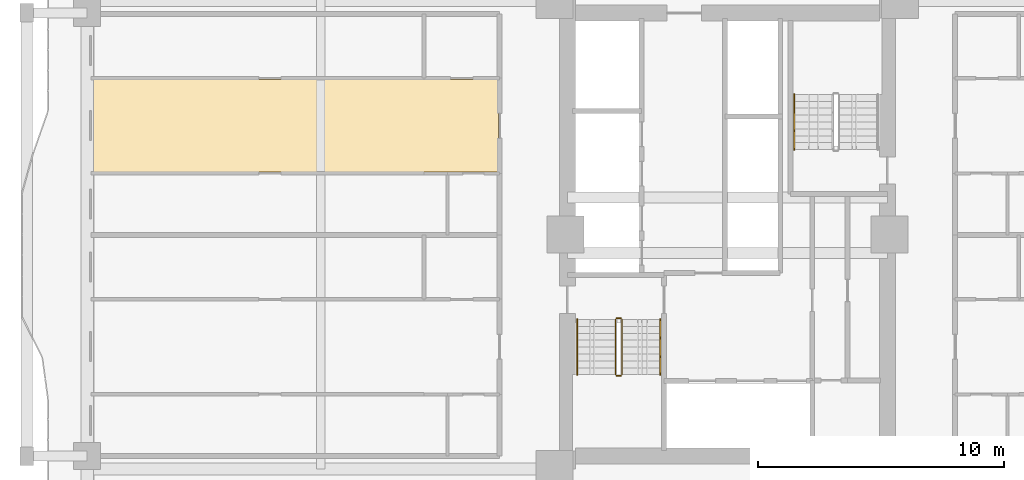
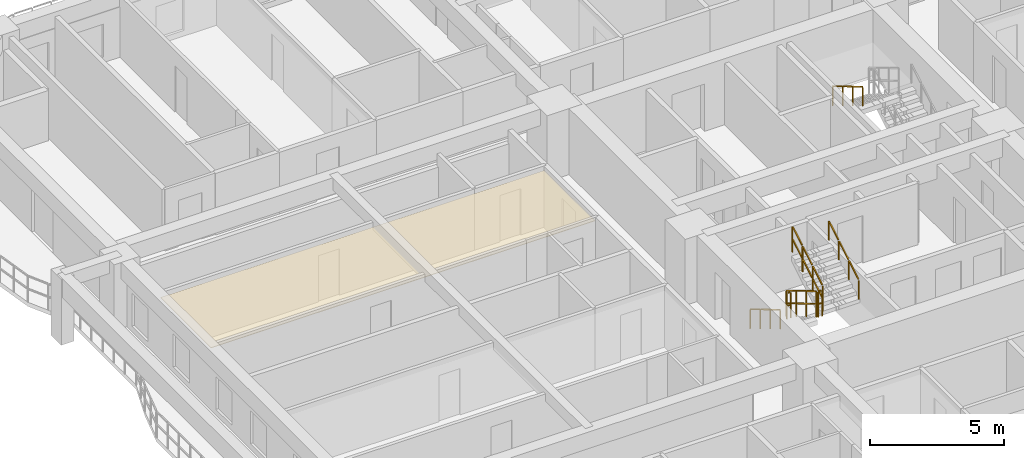
# One storey, part 12 of 16: 7 railings, 1 covering.
"""IFC4 building model written with IfcOpenShell, lengths in metres."""

from ifc_helpers import new_model, si_unit, direction, frame, origin, origin_2d, place, context, subcontext, project, spatial, polyline, rectangle, outline, extrude, material, layer, layer_set, type_object, element, save


model = new_model("IFC4")

# Units and contexts
model_context = context("Model", 3, precision=1e-05, world=origin(), true_north=direction((0.0, 1.0)))
body_context = subcontext(model_context, "Body", "Model", "MODEL_VIEW")
ifc_project = project(units=[si_unit("LENGTHUNIT", "METRE"), si_unit("AREAUNIT", "SQUARE_METRE"), si_unit("VOLUMEUNIT", "CUBIC_METRE"), si_unit("PLANEANGLEUNIT", "RADIAN"), si_unit("MASSUNIT", "GRAM", prefix="KILO")], contexts=[model_context])

# Site, building, storey
site_placement = place(None, origin())
site = spatial("IfcSite", under=ifc_project, at=site_placement, CompositionType="ELEMENT")
building_placement = place(site_placement, origin())
building = spatial("IfcBuilding", under=site, at=building_placement, Name="Saelheon Loggia Tower", CompositionType="ELEMENT")
storey_placement = place(building_placement, frame((0.0, 0.0, 64.39990234375)))
storey = spatial("IfcBuildingStorey", under=building, at=storey_placement, Name="L20", CompositionType="ELEMENT", Elevation=64.39990234375)

# Covering
ifc_material_1 = material(Name="Mineral-Fibre Acoustic Ceiling Board", Category="gypsum")
ifc_layer = layer(ifc_material_1, 0.02490234375)
ifc_layer_set = layer_set([ifc_layer], Name="Mineral-Fibre Acoustic Ceiling Board")
covering_type = type_object("IfcCoveringType", Name="Cov_Ceiling_Acoustic", PredefinedType="CEILING", material=ifc_layer_set)
covering_placement = place(storey_placement, frame((0.0, 0.0, 2.53515625)))
element("IfcCovering", 1, at=covering_placement, inside=storey, type_object=covering_type, Name="L20 Acoustic Suspended Ceiling", PredefinedType="CEILING", context=body_context, shape_type="SweptSolid", body=[
    extrude(outline(polyline([(12.199951171875, 29.5380859375), (28.699951171875, 29.5380859375), (28.699951171875, 33.300048828125), (12.199951171875, 33.300048828125), (12.199951171875, 29.5380859375)])), origin(), (0.0, 0.0, 1.0), 0.02490234375),
])

# Railings
ifc_material_2 = material(Name="Galvanised Steel S275 Stairwell Guardrail", Category="steel")
railing_type_1 = type_object("IfcRailingType", Name="Guard_StairWell_RL_STG", PredefinedType="GUARDRAIL", material=ifc_material_2)
railing_1_placement = place(storey_placement, frame((33.4599609375, 23.550048828125, 0.166748046875)))
element("IfcRailing", 2, at=railing_1_placement, inside=storey, type_object=railing_type_1, Name="L20 ST1 stair guard 1", PredefinedType="GUARDRAIL", context=body_context, shape_type="SweptSolid", body=[
    extrude(rectangle(XDim=0.048095703125, YDim=0.048095703125, at=origin_2d()), frame((0.0, -0.028564453125, 1.19287109375), z_axis=(0.0, -0.859305625298, 0.511462454469), x_axis=(1.0, 0.0, 0.0)), (0.0, 0.0, 1.0), 0.802490234375),
    extrude(rectangle(XDim=0.048095703125, YDim=0.048095703125, at=origin_2d()), frame((0.0, -0.028564453125, 0.616943359375), z_axis=(0.0, -0.859305625298, 0.511462454469), x_axis=(1.0, 0.0, 0.0)), (0.0, 0.0, 1.0), 0.802490234375),
    extrude(rectangle(XDim=0.048095703125, YDim=0.048095703125, at=origin_2d()), frame((0.0, -0.775146484375, 1.63720703125), z_axis=(0.0, -0.859305625298, 0.511462454469), x_axis=(1.0, 0.0, 0.0)), (0.0, 0.0, 1.0), 0.802490234375),
    extrude(rectangle(XDim=0.048095703125, YDim=0.048095703125, at=origin_2d()), frame((0.0, -0.775146484375, 1.061279296875), z_axis=(0.0, -0.859305625298, 0.511462454469), x_axis=(1.0, 0.0, 0.0)), (0.0, 0.0, 1.0), 0.802490234375),
    extrude(rectangle(XDim=0.048095703125, YDim=0.048095703125, at=origin_2d()), frame((0.0, -1.52197265625, 2.081787109375), z_axis=(0.0, -0.859305625298, 0.511462454469), x_axis=(1.0, 0.0, 0.0)), (0.0, 0.0, 1.0), 0.802490234375),
    extrude(rectangle(XDim=0.048095703125, YDim=0.048095703125, at=origin_2d()), frame((0.0, -1.52197265625, 1.505859375), z_axis=(0.0, -0.859305625298, 0.511462454469), x_axis=(1.0, 0.0, 0.0)), (0.0, 0.0, 1.0), 0.802490234375),
    extrude(rectangle(XDim=0.0419921875, YDim=0.0419921875, at=origin_2d()), origin(), (0.0, 0.0, 1.0), 1.14794921875),
    extrude(rectangle(XDim=0.0419921875, YDim=0.0419921875, at=origin_2d()), frame((0.0, -0.74658203125, 0.4443359375)), (0.0, 0.0, 1.0), 1.14794921875),
    extrude(rectangle(XDim=0.0419921875, YDim=0.0419921875, at=origin_2d()), frame((0.0, -1.493408203125, 0.888916015625)), (0.0, 0.0, 1.0), 1.14794921875),
    extrude(rectangle(XDim=0.0419921875, YDim=0.0419921875, at=origin_2d()), frame((0.0, -2.239990234375, 1.333251953125)), (0.0, 0.0, 1.0), 1.14794921875),
])
railing_2_placement = place(storey_placement, frame((33.510009765625, 21.260009765625, 1.5)))
element("IfcRailing", 3, at=railing_2_placement, inside=storey, type_object=railing_type_1, Name="L20 ST1 stair guard 2", PredefinedType="GUARDRAIL", context=body_context, shape_type="SweptSolid", body=[
    extrude(rectangle(XDim=0.048095703125, YDim=0.048095703125, at=origin_2d()), frame((0.033203125, 0.0, 1.17578125), z_axis=(1.0, 0.0, 0.0), x_axis=(0.0, 1.0, 0.0)), (0.0, 0.0, 1.0), 0.093505859375),
    extrude(rectangle(XDim=0.048095703125, YDim=0.048095703125, at=origin_2d()), frame((0.033203125, 0.0, 0.60009765625), z_axis=(1.0, 0.0, 0.0), x_axis=(0.0, 1.0, 0.0)), (0.0, 0.0, 1.0), 0.093505859375),
    extrude(rectangle(XDim=0.0419921875, YDim=0.0419921875, at=origin_2d()), origin(), (0.0, 0.0, 1.0), 1.14794921875),
    extrude(rectangle(XDim=0.0419921875, YDim=0.0419921875, at=origin_2d()), frame((0.159912109375, 0.0, 0.0)), (0.0, 0.0, 1.0), 1.14794921875),
])
railing_3_placement = place(storey_placement, frame((33.719970703125, 21.31005859375, 1.666748046875)))
element("IfcRailing", 4, at=railing_3_placement, inside=storey, type_object=railing_type_1, Name="L20 ST1 stair guard 3", PredefinedType="GUARDRAIL", context=body_context, shape_type="SweptSolid", body=[
    extrude(rectangle(XDim=0.048095703125, YDim=0.048095703125, at=origin_2d()), frame((0.0, 0.028564453125, 1.19287109375), z_axis=(0.0, 0.859305625298, 0.511462454469), x_axis=(-1.0, 0.0, 0.0)), (0.0, 0.0, 1.0), 0.802490234375),
    extrude(rectangle(XDim=0.048095703125, YDim=0.048095703125, at=origin_2d()), frame((0.0, 0.028564453125, 0.616943359375), z_axis=(0.0, 0.859305625298, 0.511462454469), x_axis=(-1.0, 0.0, 0.0)), (0.0, 0.0, 1.0), 0.802490234375),
    extrude(rectangle(XDim=0.048095703125, YDim=0.048095703125, at=origin_2d()), frame((0.0, 0.775146484375, 1.63720703125), z_axis=(0.0, 0.859305625298, 0.511462454469), x_axis=(-1.0, 0.0, 0.0)), (0.0, 0.0, 1.0), 0.802490234375),
    extrude(rectangle(XDim=0.048095703125, YDim=0.048095703125, at=origin_2d()), frame((0.0, 0.775146484375, 1.061279296875), z_axis=(0.0, 0.859305625298, 0.511462454469), x_axis=(-1.0, 0.0, 0.0)), (0.0, 0.0, 1.0), 0.802490234375),
    extrude(rectangle(XDim=0.048095703125, YDim=0.048095703125, at=origin_2d()), frame((0.0, 1.52197265625, 2.081787109375), z_axis=(0.0, 0.859305625298, 0.511462454469), x_axis=(-1.0, 0.0, 0.0)), (0.0, 0.0, 1.0), 0.802490234375),
    extrude(rectangle(XDim=0.048095703125, YDim=0.048095703125, at=origin_2d()), frame((0.0, 1.52197265625, 1.505859375), z_axis=(0.0, 0.859305625298, 0.511462454469), x_axis=(-1.0, 0.0, 0.0)), (0.0, 0.0, 1.0), 0.802490234375),
    extrude(rectangle(XDim=0.0419921875, YDim=0.0419921875, at=origin_2d()), origin(), (0.0, 0.0, 1.0), 1.14794921875),
    extrude(rectangle(XDim=0.0419921875, YDim=0.0419921875, at=origin_2d()), frame((0.0, 0.74658203125, 0.4443359375)), (0.0, 0.0, 1.0), 1.14794921875),
    extrude(rectangle(XDim=0.0419921875, YDim=0.0419921875, at=origin_2d()), frame((0.0, 1.493408203125, 0.888916015625)), (0.0, 0.0, 1.0), 1.14794921875),
    extrude(rectangle(XDim=0.0419921875, YDim=0.0419921875, at=origin_2d()), frame((0.0, 2.239990234375, 1.333251953125)), (0.0, 0.0, 1.0), 1.14794921875),
])
railing_4_placement = place(storey_placement, frame((33.510009765625, 23.60009765625, 0.0)))
element("IfcRailing", 5, at=railing_4_placement, inside=storey, type_object=railing_type_1, Name="L20 ST1 stair guard 4", PredefinedType="GUARDRAIL", context=body_context, shape_type="SweptSolid", body=[
    extrude(rectangle(XDim=0.048095703125, YDim=0.048095703125, at=origin_2d()), frame((0.033203125, 0.0, 1.17578125), z_axis=(1.0, 0.0, 0.0), x_axis=(0.0, 1.0, 0.0)), (0.0, 0.0, 1.0), 0.093505859375),
    extrude(rectangle(XDim=0.048095703125, YDim=0.048095703125, at=origin_2d()), frame((0.033203125, 0.0, 0.60009765625), z_axis=(1.0, 0.0, 0.0), x_axis=(0.0, 1.0, 0.0)), (0.0, 0.0, 1.0), 0.093505859375),
    extrude(rectangle(XDim=0.0419921875, YDim=0.0419921875, at=origin_2d()), origin(), (0.0, 0.0, 1.0), 1.14794921875),
    extrude(rectangle(XDim=0.0419921875, YDim=0.0419921875, at=origin_2d()), frame((0.159912109375, 0.0, 0.0)), (0.0, 0.0, 1.0), 1.14794921875),
])
ifc_material_3 = material(Name="Stainless Steel 304 Tubular Handrail", Category="steel")
railing_type_2 = type_object("IfcRailingType", Name="Handrail_Stair_RL_HR1", PredefinedType="HANDRAIL", material=ifc_material_3)
railing_5_placement = place(storey_placement, frame((31.89990234375, 23.550048828125, 0.166748046875)))
element("IfcRailing", 6, at=railing_5_placement, inside=storey, type_object=railing_type_2, Name="L20 ST1 stair handrail 1", PredefinedType="HANDRAIL", context=body_context, shape_type="SweptSolid", body=[
    extrude(rectangle(XDim=0.048095703125, YDim=0.048095703125, at=origin_2d()), frame((0.0, -0.028564453125, 0.892822265625), z_axis=(0.0, -0.859305625298, 0.511462454469), x_axis=(1.0, 0.0, 0.0)), (0.0, 0.0, 1.0), 0.802490234375),
    extrude(rectangle(XDim=0.048095703125, YDim=0.048095703125, at=origin_2d()), frame((0.0, -0.775146484375, 1.337158203125), z_axis=(0.0, -0.859305625298, 0.511462454469), x_axis=(1.0, 0.0, 0.0)), (0.0, 0.0, 1.0), 0.802490234375),
    extrude(rectangle(XDim=0.048095703125, YDim=0.048095703125, at=origin_2d()), frame((0.0, -1.52197265625, 1.78173828125), z_axis=(0.0, -0.859305625298, 0.511462454469), x_axis=(1.0, 0.0, 0.0)), (0.0, 0.0, 1.0), 0.802490234375),
    extrude(rectangle(XDim=0.0419921875, YDim=0.0419921875, at=origin_2d()), origin(), (0.0, 0.0, 1.0), 0.847900390625),
    extrude(rectangle(XDim=0.0419921875, YDim=0.0419921875, at=origin_2d()), frame((0.0, -0.74658203125, 0.4443359375)), (0.0, 0.0, 1.0), 0.847900390625),
    extrude(rectangle(XDim=0.0419921875, YDim=0.0419921875, at=origin_2d()), frame((0.0, -1.493408203125, 0.888916015625)), (0.0, 0.0, 1.0), 0.847900390625),
    extrude(rectangle(XDim=0.0419921875, YDim=0.0419921875, at=origin_2d()), frame((0.0, -2.239990234375, 1.333251953125)), (0.0, 0.0, 1.0), 0.847900390625),
])
railing_6_placement = place(storey_placement, frame((35.280029296875, 21.31005859375, 1.666748046875)))
element("IfcRailing", 7, at=railing_6_placement, inside=storey, type_object=railing_type_2, Name="L20 ST1 stair handrail 2", PredefinedType="HANDRAIL", context=body_context, shape_type="SweptSolid", body=[
    extrude(rectangle(XDim=0.048095703125, YDim=0.048095703125, at=origin_2d()), frame((0.0, 0.028564453125, 0.892822265625), z_axis=(0.0, 0.859305625298, 0.511462454469), x_axis=(-1.0, 0.0, 0.0)), (0.0, 0.0, 1.0), 0.802490234375),
    extrude(rectangle(XDim=0.048095703125, YDim=0.048095703125, at=origin_2d()), frame((0.0, 0.775146484375, 1.337158203125), z_axis=(0.0, 0.859305625298, 0.511462454469), x_axis=(-1.0, 0.0, 0.0)), (0.0, 0.0, 1.0), 0.802490234375),
    extrude(rectangle(XDim=0.048095703125, YDim=0.048095703125, at=origin_2d()), frame((0.0, 1.52197265625, 1.78173828125), z_axis=(0.0, 0.859305625298, 0.511462454469), x_axis=(-1.0, 0.0, 0.0)), (0.0, 0.0, 1.0), 0.802490234375),
    extrude(rectangle(XDim=0.0419921875, YDim=0.0419921875, at=origin_2d()), origin(), (0.0, 0.0, 1.0), 0.847900390625),
    extrude(rectangle(XDim=0.0419921875, YDim=0.0419921875, at=origin_2d()), frame((0.0, 0.74658203125, 0.4443359375)), (0.0, 0.0, 1.0), 0.847900390625),
    extrude(rectangle(XDim=0.0419921875, YDim=0.0419921875, at=origin_2d()), frame((0.0, 1.493408203125, 0.888916015625)), (0.0, 0.0, 1.0), 0.847900390625),
    extrude(rectangle(XDim=0.0419921875, YDim=0.0419921875, at=origin_2d()), frame((0.0, 2.239990234375, 1.333251953125)), (0.0, 0.0, 1.0), 0.847900390625),
])
railing_7_placement = place(storey_placement, frame((40.719970703125, 32.68994140625, 1.666748046875)))
element("IfcRailing", 8, at=railing_7_placement, inside=storey, type_object=railing_type_2, Name="L20 ST2 stair handrail 2", PredefinedType="HANDRAIL", context=body_context, shape_type="SweptSolid", body=[
    extrude(rectangle(XDim=0.048095703125, YDim=0.048095703125, at=origin_2d()), frame((0.0, -0.028564453125, 0.892822265625), z_axis=(0.0, -0.859305625298, 0.511462454469), x_axis=(1.0, 0.0, 0.0)), (0.0, 0.0, 1.0), 0.802490234375),
    extrude(rectangle(XDim=0.048095703125, YDim=0.048095703125, at=origin_2d()), frame((0.0, -0.775146484375, 1.337158203125), z_axis=(0.0, -0.859305625298, 0.511462454469), x_axis=(1.0, 0.0, 0.0)), (0.0, 0.0, 1.0), 0.802490234375),
    extrude(rectangle(XDim=0.048095703125, YDim=0.048095703125, at=origin_2d()), frame((0.0, -1.52197265625, 1.78173828125), z_axis=(0.0, -0.859305625298, 0.511462454469), x_axis=(1.0, 0.0, 0.0)), (0.0, 0.0, 1.0), 0.802490234375),
    extrude(rectangle(XDim=0.0419921875, YDim=0.0419921875, at=origin_2d()), origin(), (0.0, 0.0, 1.0), 0.847900390625),
    extrude(rectangle(XDim=0.0419921875, YDim=0.0419921875, at=origin_2d()), frame((0.0, -0.74658203125, 0.4443359375)), (0.0, 0.0, 1.0), 0.847900390625),
    extrude(rectangle(XDim=0.0419921875, YDim=0.0419921875, at=origin_2d()), frame((0.0, -1.493408203125, 0.888916015625)), (0.0, 0.0, 1.0), 0.847900390625),
    extrude(rectangle(XDim=0.0419921875, YDim=0.0419921875, at=origin_2d()), frame((0.0, -2.239990234375, 1.333251953125)), (0.0, 0.0, 1.0), 0.847900390625),
])

save(model, "model.ifc")
